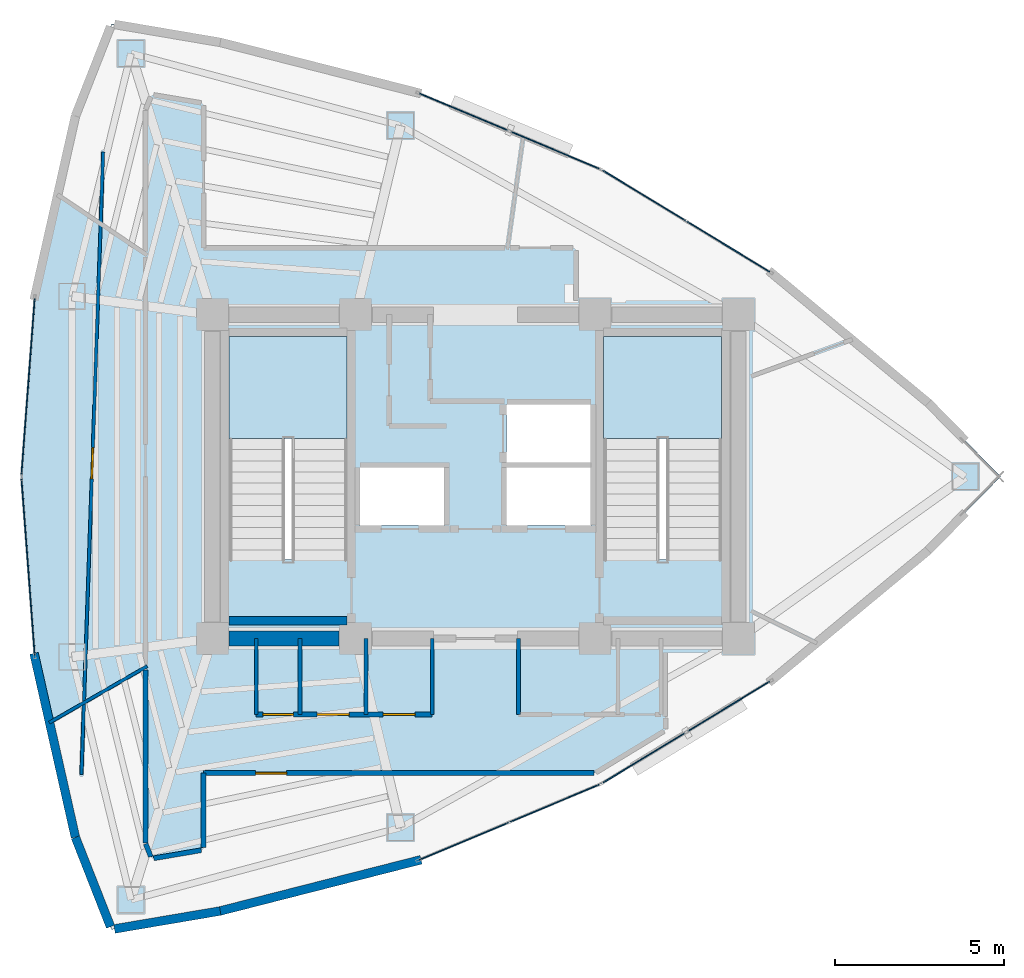
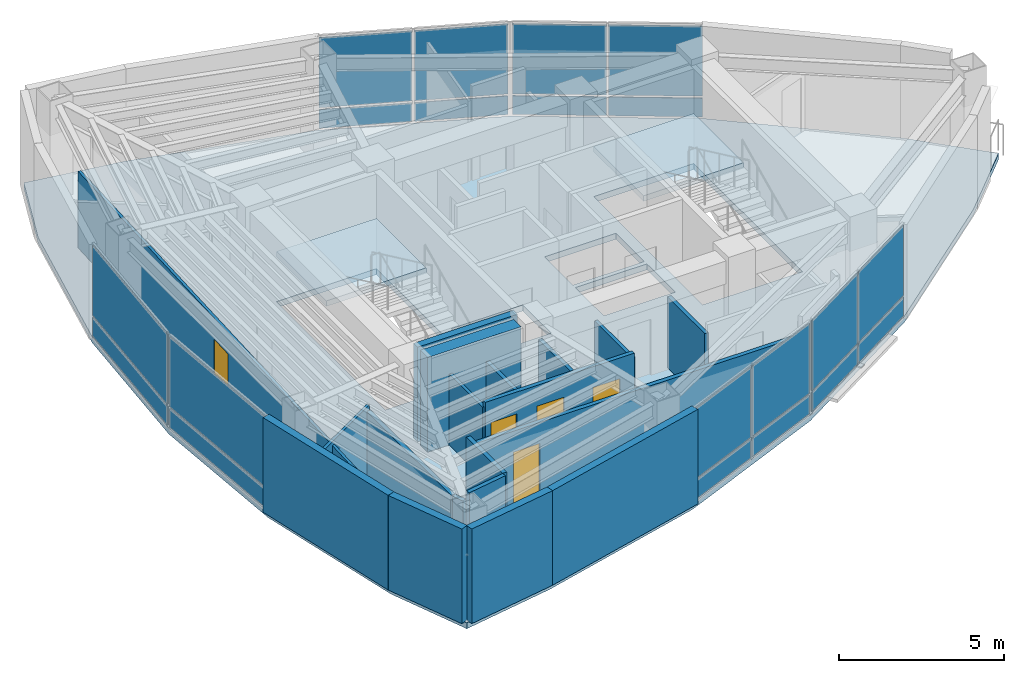
# One storey, part 11 of 16: 20 plates, 19 walls, 5 doors, 3 slabs, 5 openings, 8 elements without a shape of their own.
"""IFC4 building model written with IfcOpenShell, lengths in metres."""

from ifc_helpers import new_model, si_unit, direction, frame, frame_2d, origin, origin_2d, place, context, subcontext, project, spatial, polyline, rectangle, outline, extrude, material, layer, layer_set, type_object, element, fill, aggregate, save


model = new_model("IFC4")

# Units and contexts
model_context = context("Model", 3, precision=1e-05, world=origin(), true_north=direction((0.0, 1.0)))
body_context = subcontext(model_context, "Body", "Model", "MODEL_VIEW")
ifc_project = project(units=[si_unit("LENGTHUNIT", "METRE"), si_unit("AREAUNIT", "SQUARE_METRE"), si_unit("VOLUMEUNIT", "CUBIC_METRE"), si_unit("PLANEANGLEUNIT", "RADIAN"), si_unit("MASSUNIT", "GRAM", prefix="KILO")], contexts=[model_context])

# Site, building, storey
site_placement = place(None, origin())
site = spatial("IfcSite", under=ifc_project, at=site_placement, CompositionType="ELEMENT")
building_placement = place(site_placement, origin())
building = spatial("IfcBuilding", under=site, at=building_placement, Name="Menara Vayukalpa", CompositionType="ELEMENT")
storey_placement = place(building_placement, frame((0.0, 0.0, 276.89990234375)))
storey = spatial("IfcBuildingStorey", under=building, at=storey_placement, Name="L70", CompositionType="ELEMENT", Elevation=276.89990234375)

# Curtain wall, plates
ifc_material_1 = material(Name="Anodised Terracotta Aluminium Alloy 6063-T6", Category="masonry")
ifc_layer_1 = layer(ifc_material_1, 0.1650390625)
ifc_layer_set_1 = layer_set([ifc_layer_1], Name="Anodised Terracotta Aluminium Alloy 6063-T6")
curtain_wall_type = type_object("IfcCurtainWallType", Name="CW-CW6", PredefinedType="USERDEFINED", material=ifc_layer_set_1)
curtain_wall_1_placement = place(storey_placement, origin())
curtain_wall_1 = element("IfcCurtainWall", 1, at=curtain_wall_1_placement, inside=storey, type_object=curtain_wall_type, Name="L70 Observation and Executive Curtain Wall CW6 04", ObjectType="UNITISED", PredefinedType="USERDEFINED")
ifc_material_2 = material(Name="Low-E Double Glazing", Category="glass")
ifc_layer_2 = layer(ifc_material_2, 0.033935546875)
ifc_layer_set_2 = layer_set([ifc_layer_2], Name="Low-E Double Glazing")
plate_type = type_object("IfcPlateType", Name="CWP-CW6", PredefinedType="CURTAIN_PANEL", material=ifc_layer_set_2)
plate_1_placement = place(storey_placement, frame((33.102783203125, 28.814208984375, 0.0751953125), z_axis=(0.0, 0.0, 1.0), x_axis=(-0.854667609532, 0.519175574558, 0.0)))
plate_1 = element("IfcPlate", 2, at=plate_1_placement, type_object=plate_type, Name="CW6 panel 1.1", PredefinedType="CURTAIN_PANEL", context=body_context, shape_type="SweptSolid", body=[
    extrude(rectangle(XDim=2.8486328125, YDim=0.033935546875, at=origin_2d()), origin(), (0.0, 0.0, 1.0), 0.6875),
])
plate_2_placement = place(storey_placement, frame((33.102783203125, 28.814208984375, 0.837646484375), z_axis=(0.0, 0.0, 1.0), x_axis=(-0.854667609532, 0.519175574558, 0.0)))
plate_2 = element("IfcPlate", 3, at=plate_2_placement, type_object=plate_type, Name="CW6 panel 1.2", PredefinedType="CURTAIN_PANEL", context=body_context, shape_type="SweptSolid", body=[
    extrude(rectangle(XDim=2.8486328125, YDim=0.033935546875, at=origin_2d()), origin(), (0.0, 0.0, 1.0), 2.58740234375),
])
plate_3_placement = place(storey_placement, frame((30.608154296875, 30.329345703125, 0.0751953125), z_axis=(0.0, 0.0, 1.0), x_axis=(-0.854667609532, 0.519175574558, 0.0)))
plate_3 = element("IfcPlate", 4, at=plate_3_placement, type_object=plate_type, Name="CW6 panel 2.1", PredefinedType="CURTAIN_PANEL", context=body_context, shape_type="SweptSolid", body=[
    extrude(rectangle(XDim=2.8486328125, YDim=0.033935546875, at=origin_2d()), origin(), (0.0, 0.0, 1.0), 0.6875),
])
plate_4_placement = place(storey_placement, frame((30.608154296875, 30.329345703125, 0.837646484375), z_axis=(0.0, 0.0, 1.0), x_axis=(-0.854667609532, 0.519175574558, 0.0)))
plate_4 = element("IfcPlate", 5, at=plate_4_placement, type_object=plate_type, Name="CW6 panel 2.2", PredefinedType="CURTAIN_PANEL", context=body_context, shape_type="SweptSolid", body=[
    extrude(rectangle(XDim=2.8486328125, YDim=0.033935546875, at=origin_2d()), origin(), (0.0, 0.0, 1.0), 2.58740234375),
])
aggregate(curtain_wall_1, [plate_1, plate_2, plate_3, plate_4])

curtain_wall_2_placement = place(storey_placement, origin())
curtain_wall_2 = element("IfcCurtainWall", 6, at=curtain_wall_2_placement, inside=storey, type_object=curtain_wall_type, Name="L70 Observation and Executive Curtain Wall CW6 05", ObjectType="UNITISED", PredefinedType="USERDEFINED")
plate_5_placement = place(storey_placement, frame((27.952392578125, 31.681884765625, 0.0751953125), z_axis=(0.0, 0.0, 1.0), x_axis=(-0.922540653927, 0.385899911703, 0.0)))
plate_5 = element("IfcPlate", 7, at=plate_5_placement, type_object=plate_type, Name="CW6 panel 1.1", PredefinedType="CURTAIN_PANEL", context=body_context, shape_type="SweptSolid", body=[
    extrude(rectangle(XDim=2.8486328125, YDim=0.033935546875, at=origin_2d()), origin(), (0.0, 0.0, 1.0), 0.6875),
])
plate_6_placement = place(storey_placement, frame((27.952392578125, 31.681884765625, 0.837646484375), z_axis=(0.0, 0.0, 1.0), x_axis=(-0.922540653927, 0.385899911703, 0.0)))
plate_6 = element("IfcPlate", 8, at=plate_6_placement, type_object=plate_type, Name="CW6 panel 1.2", PredefinedType="CURTAIN_PANEL", context=body_context, shape_type="SweptSolid", body=[
    extrude(rectangle(XDim=2.8486328125, YDim=0.033935546875, at=origin_2d()), origin(), (0.0, 0.0, 1.0), 2.58740234375),
])
plate_7_placement = place(storey_placement, frame((25.259765625, 32.808349609375, 0.0751953125), z_axis=(0.0, 0.0, 1.0), x_axis=(-0.922540653927, 0.385899911703, 0.0)))
plate_7 = element("IfcPlate", 9, at=plate_7_placement, type_object=plate_type, Name="CW6 panel 2.1", PredefinedType="CURTAIN_PANEL", context=body_context, shape_type="SweptSolid", body=[
    extrude(rectangle(XDim=2.8486328125, YDim=0.033935546875, at=origin_2d()), origin(), (0.0, 0.0, 1.0), 0.6875),
])
plate_8_placement = place(storey_placement, frame((25.259765625, 32.808349609375, 0.837646484375), z_axis=(0.0, 0.0, 1.0), x_axis=(-0.922540653927, 0.385899911703, 0.0)))
plate_8 = element("IfcPlate", 10, at=plate_8_placement, type_object=plate_type, Name="CW6 panel 2.2", PredefinedType="CURTAIN_PANEL", context=body_context, shape_type="SweptSolid", body=[
    extrude(rectangle(XDim=2.8486328125, YDim=0.033935546875, at=origin_2d()), origin(), (0.0, 0.0, 1.0), 2.58740234375),
])
aggregate(curtain_wall_2, [plate_5, plate_6, plate_7, plate_8])

curtain_wall_3_placement = place(storey_placement, origin())
curtain_wall_3 = element("IfcCurtainWall", 11, at=curtain_wall_3_placement, inside=storey, type_object=curtain_wall_type, Name="L70 Observation and Executive Curtain Wall CW6 10", ObjectType="UNITISED", PredefinedType="USERDEFINED")
plate_9_placement = place(storey_placement, frame((12.33837890625, 24.67333984375, 0.0751953125), z_axis=(0.0, 0.0, 1.0), x_axis=(-0.074789484574, -0.997199344663, 0.0)))
plate_9 = element("IfcPlate", 12, at=plate_9_placement, type_object=plate_type, Name="CW6 panel 1.1", PredefinedType="CURTAIN_PANEL", context=body_context, shape_type="SweptSolid", body=[
    extrude(rectangle(XDim=5.2216796875, YDim=0.033935546875, at=origin_2d()), origin(), (0.0, 0.0, 1.0), 0.6875),
])
plate_10_placement = place(storey_placement, frame((12.33837890625, 24.67333984375, 0.837646484375), z_axis=(0.0, 0.0, 1.0), x_axis=(-0.074789484574, -0.997199344663, 0.0)))
plate_10 = element("IfcPlate", 13, at=plate_10_placement, type_object=plate_type, Name="CW6 panel 1.2", PredefinedType="CURTAIN_PANEL", context=body_context, shape_type="SweptSolid", body=[
    extrude(rectangle(XDim=5.2216796875, YDim=0.033935546875, at=origin_2d()), origin(), (0.0, 0.0, 1.0), 2.58740234375),
])
aggregate(curtain_wall_3, [plate_9, plate_10])

curtain_wall_4_placement = place(storey_placement, origin())
curtain_wall_4 = element("IfcCurtainWall", 14, at=curtain_wall_4_placement, inside=storey, type_object=curtain_wall_type, Name="L70 Observation and Executive Curtain Wall CW6 11", ObjectType="UNITISED", PredefinedType="USERDEFINED")
plate_11_placement = place(storey_placement, frame((12.33837890625, 19.32666015625, 0.0751953125), z_axis=(0.0, 0.0, 1.0), x_axis=(0.074789484574, -0.997199344663, 0.0)))
plate_11 = element("IfcPlate", 15, at=plate_11_placement, type_object=plate_type, Name="CW6 panel 1.1", PredefinedType="CURTAIN_PANEL", context=body_context, shape_type="SweptSolid", body=[
    extrude(rectangle(XDim=5.2216796875, YDim=0.033935546875, at=origin_2d()), origin(), (0.0, 0.0, 1.0), 0.6875),
])
plate_12_placement = place(storey_placement, frame((12.33837890625, 19.32666015625, 0.837646484375), z_axis=(0.0, 0.0, 1.0), x_axis=(0.074789484574, -0.997199344663, 0.0)))
plate_12 = element("IfcPlate", 16, at=plate_12_placement, type_object=plate_type, Name="CW6 panel 1.2", PredefinedType="CURTAIN_PANEL", context=body_context, shape_type="SweptSolid", body=[
    extrude(rectangle(XDim=5.2216796875, YDim=0.033935546875, at=origin_2d()), origin(), (0.0, 0.0, 1.0), 2.58740234375),
])
aggregate(curtain_wall_4, [plate_11, plate_12])

curtain_wall_5_placement = place(storey_placement, origin())
curtain_wall_5 = element("IfcCurtainWall", 17, at=curtain_wall_5_placement, inside=storey, type_object=curtain_wall_type, Name="L70 Observation and Executive Curtain Wall CW6 16", ObjectType="UNITISED", PredefinedType="USERDEFINED")
plate_13_placement = place(storey_placement, frame((25.259765625, 11.191650390625, 0.0751953125), z_axis=(0.0, 0.0, 1.0), x_axis=(0.922540653927, 0.385899911703, 0.0)))
plate_13 = element("IfcPlate", 18, at=plate_13_placement, type_object=plate_type, Name="CW6 panel 1.1", PredefinedType="CURTAIN_PANEL", context=body_context, shape_type="SweptSolid", body=[
    extrude(rectangle(XDim=2.8486328125, YDim=0.033935546875, at=origin_2d()), origin(), (0.0, 0.0, 1.0), 0.6875),
])
plate_14_placement = place(storey_placement, frame((25.259765625, 11.191650390625, 0.837646484375), z_axis=(0.0, 0.0, 1.0), x_axis=(0.922540653927, 0.385899911703, 0.0)))
plate_14 = element("IfcPlate", 19, at=plate_14_placement, type_object=plate_type, Name="CW6 panel 1.2", PredefinedType="CURTAIN_PANEL", context=body_context, shape_type="SweptSolid", body=[
    extrude(rectangle(XDim=2.8486328125, YDim=0.033935546875, at=origin_2d()), origin(), (0.0, 0.0, 1.0), 2.58740234375),
])
plate_15_placement = place(storey_placement, frame((27.952392578125, 12.318115234375, 0.0751953125), z_axis=(0.0, 0.0, 1.0), x_axis=(0.922540653927, 0.385899911703, 0.0)))
plate_15 = element("IfcPlate", 20, at=plate_15_placement, type_object=plate_type, Name="CW6 panel 2.1", PredefinedType="CURTAIN_PANEL", context=body_context, shape_type="SweptSolid", body=[
    extrude(rectangle(XDim=2.8486328125, YDim=0.033935546875, at=origin_2d()), origin(), (0.0, 0.0, 1.0), 0.6875),
])
plate_16_placement = place(storey_placement, frame((27.952392578125, 12.318115234375, 0.837646484375), z_axis=(0.0, 0.0, 1.0), x_axis=(0.922540653927, 0.385899911703, 0.0)))
plate_16 = element("IfcPlate", 21, at=plate_16_placement, type_object=plate_type, Name="CW6 panel 2.2", PredefinedType="CURTAIN_PANEL", context=body_context, shape_type="SweptSolid", body=[
    extrude(rectangle(XDim=2.8486328125, YDim=0.033935546875, at=origin_2d()), origin(), (0.0, 0.0, 1.0), 2.58740234375),
])
aggregate(curtain_wall_5, [plate_13, plate_14, plate_15, plate_16])

curtain_wall_6_placement = place(storey_placement, origin())
curtain_wall_6 = element("IfcCurtainWall", 22, at=curtain_wall_6_placement, inside=storey, type_object=curtain_wall_type, Name="L70 Observation and Executive Curtain Wall CW6 17", ObjectType="UNITISED", PredefinedType="USERDEFINED")
plate_17_placement = place(storey_placement, frame((30.608154296875, 13.670654296875, 0.0751953125), z_axis=(0.0, 0.0, 1.0), x_axis=(0.854667609532, 0.519175574558, 0.0)))
plate_17 = element("IfcPlate", 23, at=plate_17_placement, type_object=plate_type, Name="CW6 panel 1.1", PredefinedType="CURTAIN_PANEL", context=body_context, shape_type="SweptSolid", body=[
    extrude(rectangle(XDim=2.8486328125, YDim=0.033935546875, at=origin_2d()), origin(), (0.0, 0.0, 1.0), 0.6875),
])
plate_18_placement = place(storey_placement, frame((30.608154296875, 13.670654296875, 0.837646484375), z_axis=(0.0, 0.0, 1.0), x_axis=(0.854667609532, 0.519175574558, 0.0)))
plate_18 = element("IfcPlate", 24, at=plate_18_placement, type_object=plate_type, Name="CW6 panel 1.2", PredefinedType="CURTAIN_PANEL", context=body_context, shape_type="SweptSolid", body=[
    extrude(rectangle(XDim=2.8486328125, YDim=0.033935546875, at=origin_2d()), origin(), (0.0, 0.0, 1.0), 2.58740234375),
])
plate_19_placement = place(storey_placement, frame((33.102783203125, 15.185791015625, 0.0751953125), z_axis=(0.0, 0.0, 1.0), x_axis=(0.854667609532, 0.519175574558, 0.0)))
plate_19 = element("IfcPlate", 25, at=plate_19_placement, type_object=plate_type, Name="CW6 panel 2.1", PredefinedType="CURTAIN_PANEL", context=body_context, shape_type="SweptSolid", body=[
    extrude(rectangle(XDim=2.8486328125, YDim=0.033935546875, at=origin_2d()), origin(), (0.0, 0.0, 1.0), 0.6875),
])
plate_20_placement = place(storey_placement, frame((33.102783203125, 15.185791015625, 0.837646484375), z_axis=(0.0, 0.0, 1.0), x_axis=(0.854667609532, 0.519175574558, 0.0)))
plate_20 = element("IfcPlate", 26, at=plate_20_placement, type_object=plate_type, Name="CW6 panel 2.2", PredefinedType="CURTAIN_PANEL", context=body_context, shape_type="SweptSolid", body=[
    extrude(rectangle(XDim=2.8486328125, YDim=0.033935546875, at=origin_2d()), origin(), (0.0, 0.0, 1.0), 2.58740234375),
])
aggregate(curtain_wall_6, [plate_17, plate_18, plate_19, plate_20])

# Slab
ifc_material_3 = material(Name="Concrete C40/50", Category="concrete")
ifc_layer_3 = layer(ifc_material_3, 0.219970703125)
ifc_layer_set_3 = layer_set([ifc_layer_3], Name="Concrete C40/50")
slab_type_1 = type_object("IfcSlabType", Name="SLB-FL220", PredefinedType="FLOOR", material=ifc_layer_set_3)
slab_1_placement = place(storey_placement, frame((0.0, 0.0, -0.219970703125)))
element("IfcSlab", 27, at=slab_1_placement, inside=storey, type_object=slab_type_1, Name="L70 Structural Floor Slab", PredefinedType="FLOOR", context=body_context, shape_type="SweptSolid", body=[
    extrude(outline(polyline([(39.02783203125, 19.816162109375), (41.171875, 22.0), (39.02783203125, 24.183837890625), (34.3798828125, 28.038330078125), (29.3310546875, 31.105224609375), (23.881103515625, 33.385009765625), (18.0302734375, 34.877197265625), (14.814208984375, 35.423095703125), (13.741943359375, 32.693359375), (12.5390625, 27.3466796875), (12.137939453125, 22.0), (12.5390625, 16.6533203125), (13.741943359375, 11.306640625), (14.814208984375, 8.576904296875), (18.0302734375, 9.122802734375), (23.881103515625, 10.614990234375), (29.3310546875, 12.894775390625), (34.3798828125, 15.961669921875), (39.02783203125, 19.816162109375)]), holes=[polyline([(21.800048828125, 19.550048828125), (21.800048828125, 26.14990234375), (18.300048828125, 26.14990234375), (18.300048828125, 19.550048828125), (21.800048828125, 19.550048828125)]), polyline([(32.89990234375, 19.550048828125), (32.89990234375, 26.14990234375), (29.39990234375, 26.14990234375), (29.39990234375, 19.550048828125), (32.89990234375, 19.550048828125)]), polyline([(22.179931640625, 20.550048828125), (24.679931640625, 20.550048828125), (24.679931640625, 22.27001953125), (22.179931640625, 22.27001953125), (22.179931640625, 20.550048828125)]), polyline([(26.52001953125, 20.550048828125), (29.02001953125, 20.550048828125), (29.02001953125, 22.27001953125), (26.52001953125, 22.27001953125), (26.52001953125, 20.550048828125)]), polyline([(26.52001953125, 22.419921875), (29.02001953125, 22.419921875), (29.02001953125, 24.139892578125), (26.52001953125, 24.139892578125), (26.52001953125, 22.419921875)])]), origin(), (0.0, 0.0, 1.0), 0.219970703125),
])

# Stair, slab
ifc_material_4 = material(Name="Precast Concrete C40/50", Category="concrete")
stair_type = type_object("IfcStairType", Name="STR-T04", PredefinedType="DOUBLE_RETURN_STAIR", material=ifc_material_4)
stair_1_placement = place(storey_placement, origin())
stair_1 = element("IfcStair", 28, at=stair_1_placement, inside=storey, type_object=stair_type, Name="L70 Core Exit Stair ST-1", PredefinedType="DOUBLE_RETURN_STAIR")
ifc_material_5 = material(Name="Precast Concrete C40/50", Category="concrete")
ifc_layer_4 = layer(ifc_material_5, 0.199951171875)
ifc_layer_set_4 = layer_set([ifc_layer_4], Name="Precast Concrete C40/50")
slab_type_2 = type_object("IfcSlabType", Name="SLB-LND200", PredefinedType="LANDING", material=ifc_layer_set_4)
slab_2_placement = place(storey_placement, frame((0.0, 0.0, 1.66015625)))
slab_2 = element("IfcSlab", 29, at=slab_2_placement, type_object=slab_type_2, Name="ST-1 landing 1", PredefinedType="LANDING", context=body_context, shape_type="SweptSolid", body=[
    extrude(outline(polyline([(21.800048828125, 23.1298828125), (21.800048828125, 26.14990234375), (18.300048828125, 26.14990234375), (18.300048828125, 23.1298828125), (21.800048828125, 23.1298828125)])), origin(), (0.0, 0.0, 1.0), 0.199951171875),
])
aggregate(stair_1, [slab_2])

stair_2_placement = place(storey_placement, origin())
stair_2 = element("IfcStair", 30, at=stair_2_placement, inside=storey, type_object=stair_type, Name="L70 Core Exit Stair ST-2", PredefinedType="DOUBLE_RETURN_STAIR")
slab_3_placement = place(storey_placement, frame((0.0, 0.0, 1.66015625)))
slab_3 = element("IfcSlab", 31, at=slab_3_placement, type_object=slab_type_2, Name="ST-2 landing 1", PredefinedType="LANDING", context=body_context, shape_type="SweptSolid", body=[
    extrude(outline(polyline([(32.89990234375, 23.1298828125), (32.89990234375, 26.14990234375), (29.39990234375, 26.14990234375), (29.39990234375, 23.1298828125), (32.89990234375, 23.1298828125)])), origin(), (0.0, 0.0, 1.0), 0.199951171875),
])
aggregate(stair_2, [slab_3])

# Walls
ifc_material_6 = material(Name="Concrete C50/60", Category="concrete")
ifc_layer_5 = layer(ifc_material_6, 0.449951171875)
ifc_layer_set_5 = layer_set([ifc_layer_5], Name="Concrete C50/60")
wall_type_1 = type_object("IfcWallType", Name="WAL-CW450", PredefinedType="SHEAR", material=ifc_layer_set_5)
wall_1_placement = place(storey_placement, frame((18.294921875, 17.199951171875, 0.0), z_axis=(0.0, 0.0, 1.0), x_axis=(1.0, 0.0, 0.0)))
element("IfcWall", 32, at=wall_1_placement, inside=storey, type_object=wall_type_1, Name="L70 Buttressed Core Shear Wall CWS1", PredefinedType="SHEAR", context=body_context, shape_type="SweptSolid", body=[
    extrude(rectangle(XDim=3.260009765625, YDim=0.449951171875, at=frame_2d((1.6298828125, 0.0))), origin(), (0.0, 0.0, 1.0), 3.5),
])
ifc_material_7 = material(Name="Insulated Precast Concrete C40/50", Category="concrete")
ifc_layer_6 = layer(ifc_material_7, 0.260009765625)
ifc_layer_set_6 = layer_set([ifc_layer_6], Name="Insulated Precast Concrete C40/50")
wall_type_2 = type_object("IfcWallType", Name="WAL-EXT260", PredefinedType="PARTITIONING", material=ifc_layer_set_6)
wall_2_placement = place(storey_placement, frame((13.741943359375, 11.306640625, 0.0), z_axis=(0.0, 0.0, 1.0), x_axis=(-0.219500763731, 0.97561232809, 0.0)))
element("IfcWall", 33, at=wall_2_placement, inside=storey, type_object=wall_type_2, Name="L70 Perimeter Terracotta Pier Wall 12", PredefinedType="PARTITIONING", context=body_context, shape_type="SweptSolid", body=[
    extrude(rectangle(XDim=5.590087890625, YDim=0.260009765625, at=frame_2d((2.794921875, 0.0))), origin(), (0.0, 0.0, 1.0), 3.5),
])
wall_3_placement = place(storey_placement, frame((14.7822265625, 8.658203125, 0.0), z_axis=(0.0, 0.0, 1.0), x_axis=(-0.36559927932, 0.930772349697, 0.0)))
element("IfcWall", 34, at=wall_3_placement, inside=storey, type_object=wall_type_2, Name="L70 Perimeter Terracotta Pier Wall 13", PredefinedType="PARTITIONING", context=body_context, shape_type="SweptSolid", body=[
    extrude(rectangle(XDim=2.845458984375, YDim=0.260009765625, at=frame_2d((1.4228515625, 0.0))), origin(), (0.0, 0.0, 1.0), 3.5),
])
wall_4_placement = place(storey_placement, frame((18.0361328125, 9.123779296875, 0.0), z_axis=(0.0, 0.0, 1.0), x_axis=(-0.985889432766, -0.167397808709, 0.0)))
element("IfcWall", 35, at=wall_4_placement, inside=storey, type_object=wall_type_2, Name="L70 Perimeter Terracotta Pier Wall 14", PredefinedType="PARTITIONING", context=body_context, shape_type="SweptSolid", body=[
    extrude(rectangle(XDim=3.180908203125, YDim=0.260009765625, at=frame_2d((1.59033203125, 0.0))), origin(), (0.0, 0.0, 1.0), 3.5),
])
wall_5_placement = place(storey_placement, frame((23.98779296875, 10.64208984375, 0.0), z_axis=(0.0, 0.0, 1.0), x_axis=(-0.968988278672, -0.247106689096, 0.0)))
element("IfcWall", 36, at=wall_5_placement, inside=storey, type_object=wall_type_2, Name="L70 Perimeter Terracotta Pier Wall 15", PredefinedType="PARTITIONING", context=body_context, shape_type="SweptSolid", body=[
    extrude(rectangle(XDim=6.154296875, YDim=0.260009765625, at=frame_2d((3.0771484375, 0.0))), origin(), (0.0, 0.0, 1.0), 3.5),
])
ifc_material_8 = material(Name="Glazed Demountable Office Partition", Category="glass")
ifc_layer_7 = layer(ifc_material_8, 0.094970703125)
ifc_layer_set_7 = layer_set([ifc_layer_7], Name="Glazed Demountable Office Partition")
wall_type_3 = type_object("IfcWallType", Name="WAL-PT100", PredefinedType="PARTITIONING", material=ifc_layer_set_7)
wall_6_placement = place(storey_placement, frame((15.8701171875, 16.38232421875, 0.0), z_axis=(0.0, 0.0, 1.0), x_axis=(-0.866052188221, -0.499953605124, 0.0)))
element("IfcWall", 37, at=wall_6_placement, inside=storey, type_object=wall_type_3, Name="L70 Interior Partition IW-L70-RDIV04", PredefinedType="PARTITIONING", context=body_context, shape_type="SweptSolid", body=[
    extrude(rectangle(XDim=3.352294921875, YDim=0.094970703125, at=frame_2d((1.67626953125, 0.0))), origin(), (0.0, 0.0, 1.0), 2.97998046875),
])

# Wall, opening, door
wall_7_placement = place(storey_placement, frame((14.565185546875, 31.622314453125, 0.0), z_axis=(0.0, 0.0, 1.0), x_axis=(-0.03489676283, -0.999390922484, 0.0)))
wall_7 = element("IfcWall", 38, at=wall_7_placement, inside=storey, type_object=wall_type_3, Name="L70 Interior Partition IW-L70-RDIV06", PredefinedType="PARTITIONING", context=body_context, shape_type="SweptSolid", body=[
    extrude(rectangle(XDim=18.462646484375, YDim=0.094970703125, at=frame_2d((9.2314453125, 0.0))), origin(), (0.0, 0.0, 1.0), 2.830078125),
])
opening_1_placement = place(wall_7_placement, frame((8.771240234375, 0.0, 0.0)))
opening_1 = element("IfcOpeningElement", 39, at=opening_1_placement, cuts=wall_7, Name="Opening ID6", PredefinedType="OPENING", context=body_context, shape_type="SweptSolid", body=[
    extrude(rectangle(XDim=0.919921875, YDim=2.050048828125, at=frame_2d((0.4599609375, 1.02490234375))), frame((0.0, 0.057373046875, 0.0), z_axis=(0.0, -1.0, 0.0), x_axis=(1.0, 0.0, 0.0)), (0.0, 0.0, 1.0), 0.114990234375),
])
ifc_material_9 = material(Name="Acoustic Hardwood Veneer Timber Door", Category="wood")
door_type_1 = type_object("IfcDoorType", Name="DR-INT92", OperationType="NOTDEFINED", PredefinedType="DOOR", material=ifc_material_9)
door_1_placement = place(opening_1_placement, origin())
door_1 = element("IfcDoor", 40, at=door_1_placement, inside=storey, type_object=door_type_1, Name="L70 Interior Door DR-L70-STE06", OperationType="SINGLE_SWING_LEFT", OverallHeight=2.050048828125, OverallWidth=0.919921875, PredefinedType="DOOR", context=body_context, shape_type="SweptSolid", body=[
    extrude(rectangle(XDim=0.919921875, YDim=2.050048828125, at=frame_2d((0.4599609375, 1.02490234375))), frame((0.0, 0.02490234375, 0.0), z_axis=(0.0, -1.0, 0.0), x_axis=(1.0, 0.0, 0.0)), (0.0, 0.0, 1.0), 0.050048828125),
])
fill(opening_1, door_1)

# Walls
ifc_material_10 = material(Name="Acoustic Mineral Stud Partition", Category="masonry")
ifc_layer_8 = layer(ifc_material_10, 0.110107421875)
ifc_layer_set_8 = layer_set([ifc_layer_8], Name="Acoustic Mineral Stud Partition")
wall_type_4 = type_object("IfcWallType", Name="WAL-PT110", PredefinedType="PARTITIONING", material=ifc_layer_set_8)
for number, where, z_axis, x_axis, name in (
    (41, (19.10009765625, 14.949951171875, 0.0), (0.0, 0.0, 1.0), (0.0, 1.0, 0.0), "L70 Interior Partition IW-L70-SVCD-01"),
    (42, (24.320068359375, 14.949951171875, 0.0), (0.0, 0.0, 1.0), (0.0, 1.0, 0.0), "L70 Interior Partition IW-L70-SVCD-04"),
):
    element("IfcWall", number, at=place(storey_placement, frame(where, z_axis=z_axis, x_axis=x_axis)), inside=storey, type_object=wall_type_4, Name=name, PredefinedType="PARTITIONING", context=body_context, shape_type="SweptSolid", body=[
        extrude(rectangle(XDim=2.25, YDim=0.110107421875, at=frame_2d((1.125, 0.0))), origin(), (0.0, 0.0, 1.0), 2.630126953125),
    ])
ifc_material_11 = material(Name="Gypsum Drywall Steel Stud Assembly", Category="steel")
ifc_layer_9 = layer(ifc_material_11, 0.125)
ifc_layer_set_9 = layer_set([ifc_layer_9], Name="Gypsum Drywall Steel Stud Assembly")
wall_type_5 = type_object("IfcWallType", Name="WAL-PT125", PredefinedType="PARTITIONING", material=ifc_layer_set_9)
for number, where, z_axis, x_axis, name in (
    (43, (20.39990234375, 14.949951171875, 0.0), (0.0, 0.0, 1.0), (0.0, 1.0, 0.0), "L70 Interior Partition IW-L70-SVCD-02"),
    (44, (22.360107421875, 14.949951171875, 0.0), (0.0, 0.0, 1.0), (0.0, 1.0, 0.0), "L70 Interior Partition IW-L70-SVCD-03"),
    (45, (26.8798828125, 14.949951171875, 0.0), (0.0, 0.0, 1.0), (0.0, 1.0, 0.0), "L70 Interior Partition IW-L70-SVCD-05"),
):
    element("IfcWall", number, at=place(storey_placement, frame(where, z_axis=z_axis, x_axis=x_axis)), inside=storey, type_object=wall_type_5, Name=name, PredefinedType="PARTITIONING", context=body_context, shape_type="SweptSolid", body=[
        extrude(rectangle(XDim=2.25, YDim=0.125, at=frame_2d((1.125, 0.0))), origin(), (0.0, 0.0, 1.0), 2.630126953125),
    ])

# Wall, openings, doors
ifc_material_12 = material(Name="Gypsum Drywall Acoustic Stud Assembly", Category="masonry")
ifc_layer_10 = layer(ifc_material_12, 0.14501953125)
ifc_layer_set_10 = layer_set([ifc_layer_10], Name="Gypsum Drywall Acoustic Stud Assembly")
wall_type_6 = type_object("IfcWallType", Name="WAL-PT150", PredefinedType="PARTITIONING", material=ifc_layer_set_10)
wall_8_placement = place(storey_placement, frame((19.10009765625, 14.949951171875, 0.0), z_axis=(0.0, 0.0, 1.0), x_axis=(1.0, 0.0, 0.0)))
wall_8 = element("IfcWall", 46, at=wall_8_placement, inside=storey, type_object=wall_type_6, Name="L70 Interior Partition IW-L70-SVCS-W", PredefinedType="PARTITIONING", context=body_context, shape_type="SweptSolid", body=[
    extrude(rectangle(XDim=5.219970703125, YDim=0.14501953125, at=frame_2d((2.60986328125, 0.0))), origin(), (0.0, 0.0, 1.0), 2.830078125),
])
opening_2_placement = place(wall_8_placement, frame((0.199951171875, 0.0, 0.0)))
opening_2 = element("IfcOpeningElement", 47, at=opening_2_placement, cuts=wall_8, Name="Opening ID7", PredefinedType="OPENING", context=body_context, shape_type="SweptSolid", body=[
    extrude(rectangle(XDim=0.89990234375, YDim=2.02001953125, at=frame_2d((0.449951171875, 1.010009765625))), frame((0.0, 0.08251953125, 0.0), z_axis=(0.0, -1.0, 0.0), x_axis=(1.0, 0.0, 0.0)), (0.0, 0.0, 1.0), 0.1650390625),
])
opening_3_placement = place(wall_8_placement, frame((1.804931640625, 0.0, 0.0)))
opening_3 = element("IfcOpeningElement", 48, at=opening_3_placement, cuts=wall_8, Name="Opening ID5", PredefinedType="OPENING", context=body_context, shape_type="SweptSolid", body=[
    extrude(rectangle(XDim=0.949951171875, YDim=2.06005859375, at=frame_2d((0.47509765625, 1.030029296875))), frame((0.0, 0.08251953125, 0.0), z_axis=(0.0, -1.0, 0.0), x_axis=(1.0, 0.0, 0.0)), (0.0, 0.0, 1.0), 0.1650390625),
])
opening_4_placement = place(wall_8_placement, frame((3.764892578125, 0.0, 0.0)))
opening_4 = element("IfcOpeningElement", 49, at=opening_4_placement, cuts=wall_8, Name="Opening ID5", PredefinedType="OPENING", context=body_context, shape_type="SweptSolid", body=[
    extrude(rectangle(XDim=0.949951171875, YDim=2.06005859375, at=frame_2d((0.47509765625, 1.030029296875))), frame((0.0, 0.08251953125, 0.0), z_axis=(0.0, -1.0, 0.0), x_axis=(1.0, 0.0, 0.0)), (0.0, 0.0, 1.0), 0.1650390625),
])
ifc_material_13 = material(Name="Acoustic Hardwood Veneer Timber Door", Category="wood")
door_type_2 = type_object("IfcDoorType", Name="DR-INT95", OperationType="NOTDEFINED", PredefinedType="DOOR", material=ifc_material_13)
door_2_placement = place(opening_3_placement, origin())
door_2 = element("IfcDoor", 50, at=door_2_placement, inside=storey, type_object=door_type_2, Name="L70 Interior Door DR-L70-AWC", OperationType="SINGLE_SWING_RIGHT", OverallHeight=2.06005859375, OverallWidth=0.949951171875, PredefinedType="DOOR", context=body_context, shape_type="SweptSolid", body=[
    extrude(rectangle(XDim=0.949951171875, YDim=2.06005859375, at=frame_2d((0.47509765625, 1.030029296875))), frame((0.0, 0.02490234375, 0.0), z_axis=(0.0, -1.0, 0.0), x_axis=(1.0, 0.0, 0.0)), (0.0, 0.0, 1.0), 0.050048828125),
])
fill(opening_3, door_2)
door_3_placement = place(opening_4_placement, origin())
door_3 = element("IfcDoor", 51, at=door_3_placement, inside=storey, type_object=door_type_2, Name="L70 Interior Door DR-L70-SWC", OperationType="SINGLE_SWING_LEFT", OverallHeight=2.06005859375, OverallWidth=0.949951171875, PredefinedType="DOOR", context=body_context, shape_type="SweptSolid", body=[
    extrude(rectangle(XDim=0.949951171875, YDim=2.06005859375, at=frame_2d((0.47509765625, 1.030029296875))), frame((0.0, 0.02490234375, 0.0), z_axis=(0.0, -1.0, 0.0), x_axis=(1.0, 0.0, 0.0)), (0.0, 0.0, 1.0), 0.050048828125),
])
fill(opening_4, door_3)
ifc_material_14 = material(Name="Powder-Coated Steel Riser Access Door", Category="steel")
door_type_3 = type_object("IfcDoorType", Name="DR-RISER", OperationType="NOTDEFINED", PredefinedType="DOOR", material=ifc_material_14)
door_4_placement = place(opening_2_placement, origin())
door_4 = element("IfcDoor", 52, at=door_4_placement, inside=storey, type_object=door_type_3, Name="L70 Interior Door DR-L70-ELR", OperationType="SINGLE_SWING_LEFT", OverallHeight=2.02001953125, OverallWidth=0.89990234375, PredefinedType="DOOR", context=body_context, shape_type="SweptSolid", body=[
    extrude(rectangle(XDim=0.89990234375, YDim=2.02001953125, at=frame_2d((0.449951171875, 1.010009765625))), frame((0.0, 0.02490234375, 0.0), z_axis=(0.0, -1.0, 0.0), x_axis=(1.0, 0.0, 0.0)), (0.0, 0.0, 1.0), 0.050048828125),
])
fill(opening_2, door_4)

# Walls
wall_9_placement = place(storey_placement, frame((15.820068359375, 16.272705078125, 0.0), z_axis=(0.0, 0.0, 1.0), x_axis=(0.0, -1.0, 0.0)))
element("IfcWall", 53, at=wall_9_placement, inside=storey, type_object=wall_type_6, Name="L70 Interior Partition IW-L70-CRM02-1", PredefinedType="PARTITIONING", context=body_context, shape_type="SweptSolid", body=[
    extrude(rectangle(XDim=5.12646484375, YDim=0.14501953125, at=frame_2d((2.563232421875, 0.0))), origin(), (0.0, 0.0, 1.0), 2.830078125),
])
wall_10_placement = place(storey_placement, frame((15.825439453125, 11.116943359375, 0.0), z_axis=(0.0, 0.0, 1.0), x_axis=(0.365633948196, -0.930758731319, 0.0)))
element("IfcWall", 54, at=wall_10_placement, inside=storey, type_object=wall_type_6, Name="L70 Interior Partition IW-L70-CRM02-2", PredefinedType="PARTITIONING", context=body_context, shape_type="SweptSolid", body=[
    extrude(rectangle(XDim=0.409912109375, YDim=0.14501953125, at=frame_2d((0.205078125, 0.0))), origin(), (0.0, 0.0, 1.0), 2.830078125),
])
wall_11_placement = place(storey_placement, frame((16.063232421875, 10.685546875, 0.0), z_axis=(0.0, 0.0, 1.0), x_axis=(0.985881780308, 0.167442871621, 0.0)))
element("IfcWall", 55, at=wall_11_placement, inside=storey, type_object=wall_type_6, Name="L70 Interior Partition IW-L70-CRM02-3", PredefinedType="PARTITIONING", context=body_context, shape_type="SweptSolid", body=[
    extrude(rectangle(XDim=1.430419921875, YDim=0.14501953125, at=frame_2d((0.71533203125, 0.0))), origin(), (0.0, 0.0, 1.0), 3.130126953125),
])
wall_12_placement = place(storey_placement, frame((17.5400390625, 11.00390625, 0.0), z_axis=(0.0, 0.0, 1.0), x_axis=(0.0, 1.0, 0.0)))
element("IfcWall", 56, at=wall_12_placement, inside=storey, type_object=wall_type_6, Name="L70 Interior Partition IW-L70-CRM02-4", PredefinedType="PARTITIONING", context=body_context, shape_type="SweptSolid", body=[
    extrude(rectangle(XDim=2.2060546875, YDim=0.14501953125, at=frame_2d((1.10302734375, 0.0))), origin(), (0.0, 0.0, 1.0), 3.130126953125),
])

# Wall, opening, door
wall_13_placement = place(storey_placement, frame((17.5400390625, 13.2099609375, 0.0), z_axis=(0.0, 0.0, 1.0), x_axis=(1.0, 0.0, 0.0)))
wall_13 = element("IfcWall", 57, at=wall_13_placement, inside=storey, type_object=wall_type_6, Name="L70 Interior Partition IW-L70-CRM02-5", PredefinedType="PARTITIONING", context=body_context, shape_type="SweptSolid", body=[
    extrude(rectangle(XDim=11.56982421875, YDim=0.14501953125, at=frame_2d((5.784912109375, 0.0))), origin(), (0.0, 0.0, 1.0), 2.830078125),
])
opening_5_placement = place(wall_13_placement, frame((1.541259765625, 0.0, 0.0)))
opening_5 = element("IfcOpeningElement", 58, at=opening_5_placement, cuts=wall_13, Name="Opening ID6", PredefinedType="OPENING", context=body_context, shape_type="SweptSolid", body=[
    extrude(rectangle(XDim=0.919921875, YDim=2.050048828125, at=frame_2d((0.4599609375, 1.02490234375))), frame((0.0, 0.08251953125, 0.0), z_axis=(0.0, -1.0, 0.0), x_axis=(1.0, 0.0, 0.0)), (0.0, 0.0, 1.0), 0.1650390625),
])
door_5_placement = place(opening_5_placement, origin())
door_5 = element("IfcDoor", 59, at=door_5_placement, inside=storey, type_object=door_type_1, Name="L70 Interior Door DR-L70-RM02", OperationType="SINGLE_SWING_RIGHT", OverallHeight=2.050048828125, OverallWidth=0.919921875, PredefinedType="DOOR", context=body_context, shape_type="SweptSolid", body=[
    extrude(rectangle(XDim=0.919921875, YDim=2.050048828125, at=frame_2d((0.4599609375, 1.02490234375))), frame((0.0, 0.02490234375, 0.0), z_axis=(0.0, -1.0, 0.0), x_axis=(1.0, 0.0, 0.0)), (0.0, 0.0, 1.0), 0.050048828125),
])
fill(opening_5, door_5)

# Wall
ifc_material_15 = material(Name="Concrete C50/60", Category="concrete")
ifc_layer_11 = layer(ifc_material_15, 0.25)
ifc_layer_set_11 = layer_set([ifc_layer_11], Name="Concrete C50/60")
wall_type_7 = type_object("IfcWallType", Name="WAL-SW250", PredefinedType="SHEAR", material=ifc_layer_set_11)
wall_14_placement = place(storey_placement, frame((18.300048828125, 17.72509765625, 0.0), z_axis=(0.0, 0.0, 1.0), x_axis=(1.0, 0.0, 0.0)))
element("IfcWall", 60, at=wall_14_placement, inside=storey, type_object=wall_type_7, Name="L70 ST1 Structural Stair Shaft Wall S", PredefinedType="SHEAR", context=body_context, shape_type="SweptSolid", body=[
    extrude(rectangle(XDim=3.5, YDim=0.25, at=frame_2d((1.75, 0.0))), origin(), (0.0, 0.0, 1.0), 3.5),
])

save(model, "model.ifc")
